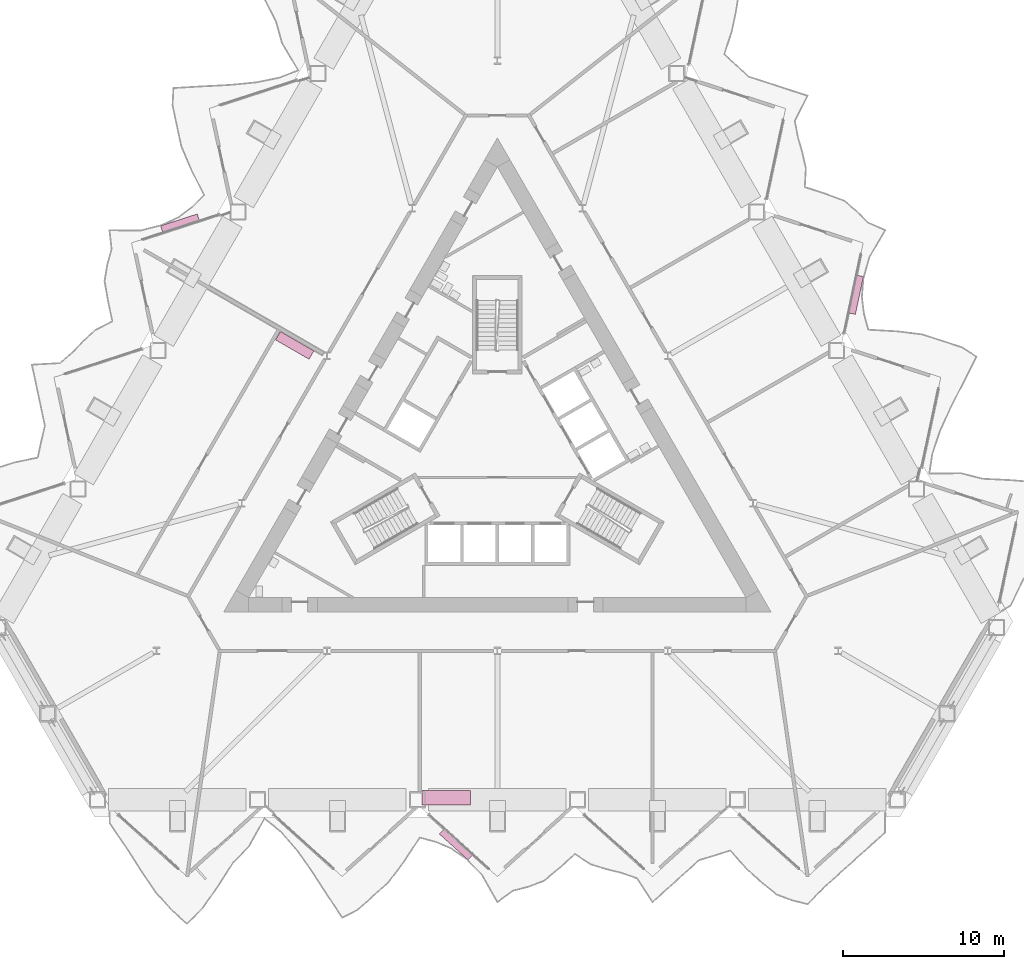
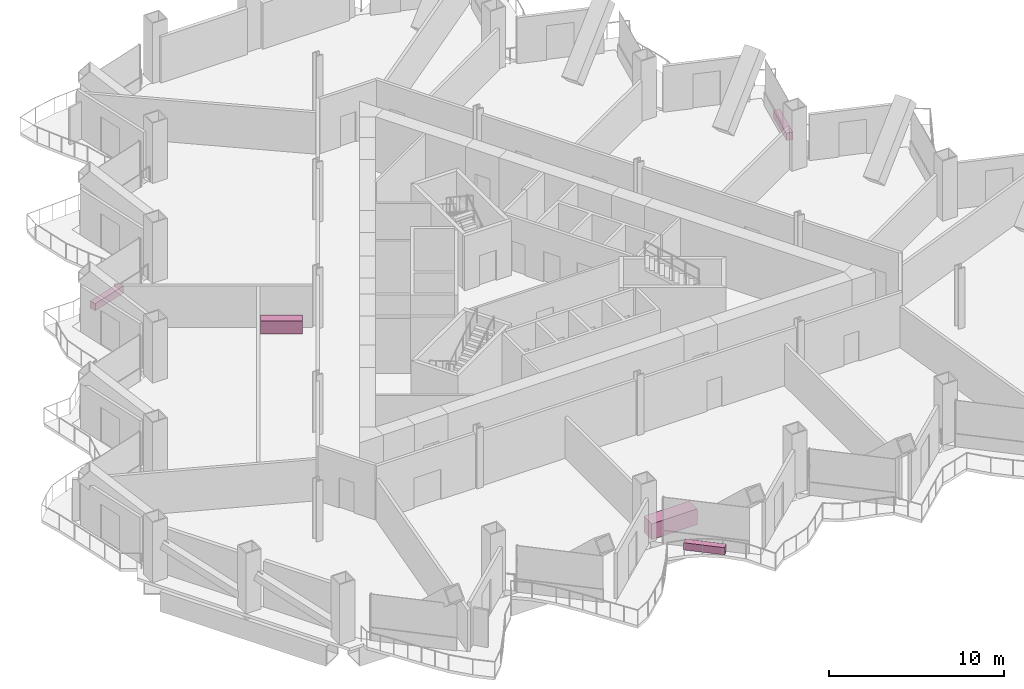
# One storey, part 22 of 22: 5 furniture elements.
"""IFC4 building model written with IfcOpenShell, lengths in metres."""

from ifc_helpers import new_model, si_unit, direction, frame, origin, origin_2d, place, context, subcontext, project, spatial, rectangle, extrude, material, type_object, element, save


model = new_model("IFC4")

# Units and contexts
model_context = context("Model", 3, precision=1e-05, world=origin(), true_north=direction((0.0, 1.0)))
body_context = subcontext(model_context, "Body", "Model", "MODEL_VIEW")
ifc_project = project(units=[si_unit("LENGTHUNIT", "METRE"), si_unit("AREAUNIT", "SQUARE_METRE"), si_unit("VOLUMEUNIT", "CUBIC_METRE"), si_unit("PLANEANGLEUNIT", "RADIAN"), si_unit("MASSUNIT", "GRAM", prefix="KILO")], contexts=[model_context])

# Site, building, storey
site_placement = place(None, origin())
site = spatial("IfcSite", under=ifc_project, at=site_placement, CompositionType="ELEMENT")
building_placement = place(site_placement, origin())
building = spatial("IfcBuilding", under=site, at=building_placement, Name="Cormorant Prow Tower", CompositionType="ELEMENT")
storey_placement = place(building_placement, frame((0.0, 0.0, 30.0)))
storey = spatial("IfcBuildingStorey", under=building, at=storey_placement, Name="L05", CompositionType="ELEMENT", Elevation=30.0)

# Furniture
ifc_material_1 = material(Name="Terracotta", Category="masonry")
furniture_type_1 = type_object("IfcFurnitureType", Name="Balcony planter 2400x400x500", AssemblyPlace="NOTDEFINED", PredefinedType="USERDEFINED", material=ifc_material_1)
for number, where, z_axis, x_axis, name in (
    (1, (-2.576171875, -24.243408203125, 0.0), (0.0, 0.0, 1.0), (0.743144833547, -0.669130597396, 0.0), "Balcony planter S04"),
    (2, (22.283447265625, 9.890625, 0.0), (0.0, 0.0, 1.0), (0.207911614097, 0.978147617041, 0.0), "Balcony planter ENE04"),
    (3, (-19.707275390625, 14.3525390625, 0.0), (0.0, 0.0, 1.0), (-0.951056505967, -0.309017026162, 0.0), "Balcony planter WNW04"),
):
    element("IfcFurniture", number, at=place(storey_placement, frame(where, z_axis=z_axis, x_axis=x_axis)), inside=storey, type_object=furniture_type_1, Name=name, ObjectType="PLANTER", PredefinedType="USERDEFINED", context=body_context, shape_type="SweptSolid", body=[
        extrude(rectangle(XDim=2.39990234375, YDim=0.39990234375, at=origin_2d()), origin(), (0.0, 0.0, 1.0), 0.5),
    ])
ifc_material_2 = material(Name="Timber joinery", Category="wood")
furniture_type_2 = type_object("IfcFurnitureType", Name="Kitchen counter 2400x600", AssemblyPlace="NOTDEFINED", PredefinedType="NOTDEFINED", material=ifc_material_2)
furniture_1_placement = place(storey_placement, frame((-12.58056640625, 6.74951171875, 0.0), z_axis=(0.0, 0.0, 1.0), x_axis=(0.866025403784, -0.5, 0.0)))
element("IfcFurniture", 4, at=furniture_1_placement, inside=storey, type_object=furniture_type_2, Name="Kitchen counter", PredefinedType="NOTDEFINED", context=body_context, shape_type="SweptSolid", body=[
    extrude(rectangle(XDim=2.39990234375, YDim=0.60009765625, at=origin_2d()), origin(), (0.0, 0.0, 1.0), 0.89990234375),
])
ifc_material_3 = material(Name="Timber joinery", Category="wood")
furniture_type_3 = type_object("IfcFurnitureType", Name="Reception desk 3000x900", AssemblyPlace="NOTDEFINED", PredefinedType="DESK", material=ifc_material_3)
furniture_2_placement = place(storey_placement, frame((-3.172607421875, -21.348388671875, 0.0), z_axis=(0.0, 0.0, 1.0), x_axis=(1.0, 0.0, 0.0)))
element("IfcFurniture", 5, at=furniture_2_placement, inside=storey, type_object=furniture_type_3, Name="Reception desk", PredefinedType="DESK", context=body_context, shape_type="SweptSolid", body=[
    extrude(rectangle(XDim=3.0, YDim=0.89990234375, at=origin_2d()), origin(), (0.0, 0.0, 1.0), 1.10009765625),
])

save(model, "model.ifc")
